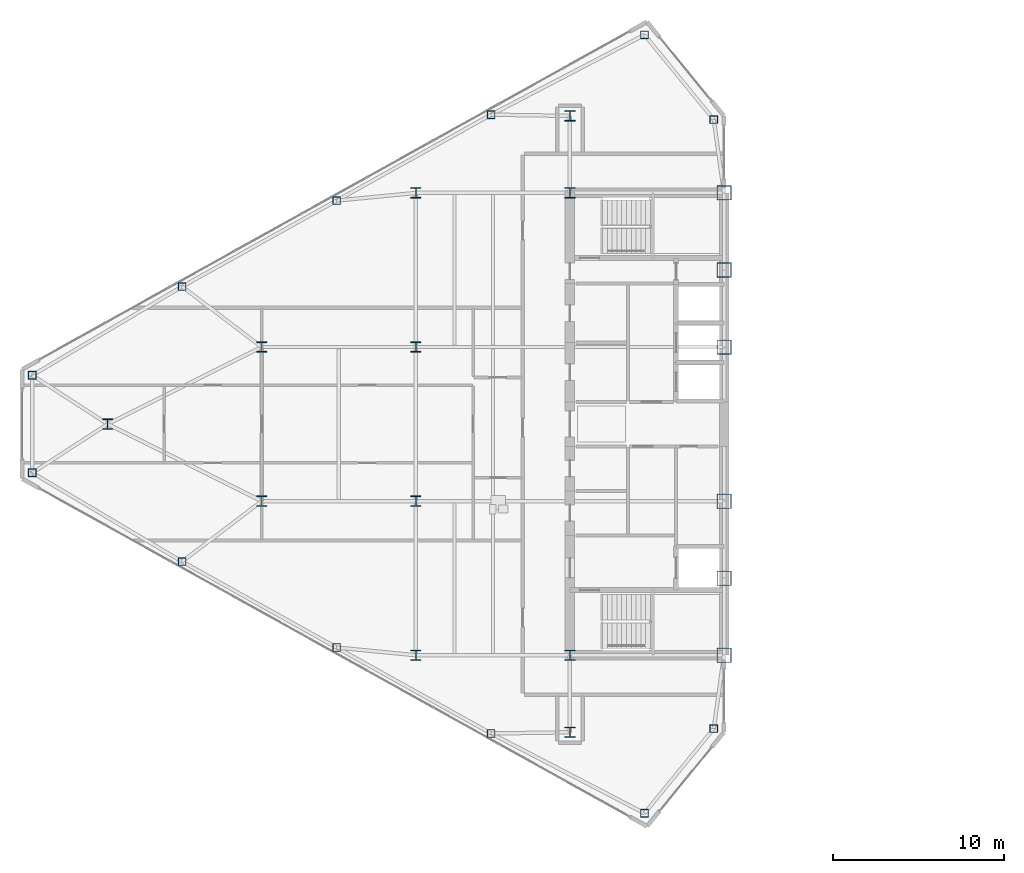
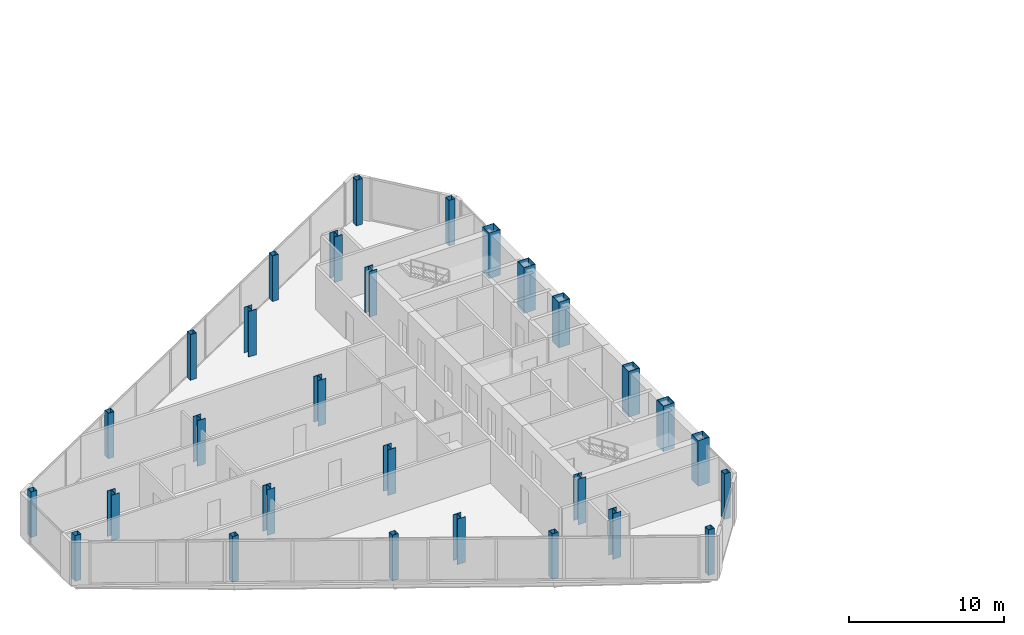
# One storey, part 1 of 26: 29 columns.
"""IFC4 building model written with IfcOpenShell, lengths in metres."""

from ifc_helpers import new_model, si_unit, direction, frame, origin, origin_2d, place, context, subcontext, project, spatial, hollow_rectangle, i_section, extrude, source, transform, mapped, material, material_profile, profile_set, type_object, type_shapes, element, save


model = new_model("IFC4")

# Units and contexts
model_context = context("Model", 3, precision=1e-05, world=origin(), true_north=direction((0.0, 1.0)))
body_context = subcontext(model_context, "Body", "Model", "MODEL_VIEW")
ifc_project = project(units=[si_unit("LENGTHUNIT", "METRE"), si_unit("AREAUNIT", "SQUARE_METRE"), si_unit("VOLUMEUNIT", "CUBIC_METRE"), si_unit("PLANEANGLEUNIT", "RADIAN"), si_unit("MASSUNIT", "GRAM", prefix="KILO")], contexts=[model_context])

# Site, building, storey
site_placement = place(None, origin())
site = spatial("IfcSite", under=ifc_project, at=site_placement, CompositionType="ELEMENT")
building_placement = place(site_placement, origin())
building = spatial("IfcBuilding", under=site, at=building_placement, Name="Seokmaru Belvedere", CompositionType="ELEMENT")
storey_placement = place(building_placement, frame((0.0, 0.0, 192.300048828125)))
storey = spatial("IfcBuildingStorey", under=building, at=storey_placement, Name="L51", CompositionType="ELEMENT", Elevation=192.300048828125)

# Columns
ifc_material_1 = material(Name="Steel SM355 (355 MPa)", Category="steel")
ifc_material_profile_1 = material_profile(ifc_material_1, hollow_rectangle(XDim=0.449951171875, YDim=0.449951171875, WallThickness=0.01806640625, at=origin_2d()), Name="HSS-450x450x18")
ifc_profile_set_1 = profile_set([ifc_material_profile_1], Name="Steel SM355 (355 MPa)")
column_type_1 = type_object("IfcColumnType", Name="Perimeter Facet Column HSS-450", PredefinedType="COLUMN", material=ifc_profile_set_1)
shared_shape_1 = source(origin(), body_context, "Body", "SweptSolid", [
    extrude(hollow_rectangle(XDim=0.449951171875, YDim=0.449951171875, WallThickness=0.01806640625, at=origin_2d()), origin(), (0.0, 0.0, 1.0), 3.599853515625),
])
type_shapes(column_type_1, [shared_shape_1])
for number, where, z_axis, x_axis, name in (
    (1, (-28.10009765625, -17.785888671875, 0.0), (0.0, 0.0, 1.0), (1.0, 0.0, 0.0), "L51 Column WF1"),
    (2, (-28.10009765625, 17.785888671875, 0.0), (0.0, 0.0, 1.0), (1.0, 0.0, 0.0), "L51 Column WF2"),
    (3, (-32.146728515625, 22.731689453125, 0.0), (0.0, 0.0, 1.0), (1.0, 0.0, 0.0), "L51 Column WF3"),
    (4, (-67.89990234375, 2.84716796875, 0.0), (0.0, 0.0, 1.0), (1.0, 0.0, 0.0), "L51 Column WF4"),
    (5, (-67.89990234375, -2.84716796875, 0.0), (0.0, 0.0, 1.0), (1.0, 0.0, 0.0), "L51 Column WF5"),
    (6, (-32.146728515625, -22.731689453125, 0.0), (0.0, 0.0, 1.0), (1.0, 0.0, 0.0), "L51 Column WF6"),
    (7, (-41.103759765625, -18.07080078125, 0.0), (0.0, 0.0, 1.0), (1.0, 0.0, 0.0), "L51 Column WFLK_S1"),
    (8, (-50.129150390625, -13.051025390625, 0.0), (0.0, 0.0, 1.0), (1.0, 0.0, 0.0), "L51 Column WFLK_S2"),
    (9, (-59.154541015625, -8.031494140625, 0.0), (0.0, 0.0, 1.0), (1.0, 0.0, 0.0), "L51 Column WFLK_S3"),
    (10, (-41.103759765625, 18.07080078125, 0.0), (0.0, 0.0, 1.0), (1.0, 0.0, 0.0), "L51 Column WFLK_N1"),
    (11, (-50.129150390625, 13.051025390625, 0.0), (0.0, 0.0, 1.0), (1.0, 0.0, 0.0), "L51 Column WFLK_N2"),
    (12, (-59.154541015625, 8.031494140625, 0.0), (0.0, 0.0, 1.0), (1.0, 0.0, 0.0), "L51 Column WFLK_N3"),
):
    element("IfcColumn", number, at=place(storey_placement, frame(where, z_axis=z_axis, x_axis=x_axis)), inside=storey, type_object=column_type_1, Name=name, PredefinedType="COLUMN", context=body_context, shape_type="MappedRepresentation", body=[
        mapped(shared_shape_1, transform((0.0, 0.0, 0.0), scale=1.0)),
    ])
ifc_material_2 = material(Name="Steel HSA650 (650 MPa)", Category="steel")
ifc_material_profile_2 = material_profile(ifc_material_2, hollow_rectangle(XDim=0.85009765625, YDim=0.85009765625, WallThickness=0.035888671875, at=origin_2d()), Name="BOX-850x850x36")
ifc_profile_set_2 = profile_set([ifc_material_profile_2], Name="Steel HSA650 (650 MPa)")
column_type_2 = type_object("IfcColumnType", Name="Portal Spine Column BOX-850", PredefinedType="COLUMN", material=ifc_profile_set_2)
shared_shape_2 = source(origin(), body_context, "Body", "SweptSolid", [
    extrude(hollow_rectangle(XDim=0.85009765625, YDim=0.85009765625, WallThickness=0.035888671875, at=origin_2d()), origin(), (0.0, 0.0, 1.0), 3.599853515625),
])
type_shapes(column_type_2, [shared_shape_2])
for number, where, z_axis, x_axis, name in (
    (13, (-27.5, -13.5, 0.0), (0.0, 0.0, 1.0), (1.0, 0.0, 0.0), "L51 Column WS1"),
    (14, (-27.5, -9.0, 0.0), (0.0, 0.0, 1.0), (1.0, 0.0, 0.0), "L51 Column WS2"),
    (15, (-27.5, -4.5, 0.0), (0.0, 0.0, 1.0), (1.0, 0.0, 0.0), "L51 Column WS3"),
    (16, (-27.5, 4.5, 0.0), (0.0, 0.0, 1.0), (1.0, 0.0, 0.0), "L51 Column WS4"),
    (17, (-27.5, 9.0, 0.0), (0.0, 0.0, 1.0), (1.0, 0.0, 0.0), "L51 Column WS5"),
    (18, (-27.5, 13.5, 0.0), (0.0, 0.0, 1.0), (1.0, 0.0, 0.0), "L51 Column WS6"),
):
    element("IfcColumn", number, at=place(storey_placement, frame(where, z_axis=z_axis, x_axis=x_axis)), inside=storey, type_object=column_type_2, Name=name, PredefinedType="COLUMN", context=body_context, shape_type="MappedRepresentation", body=[
        mapped(shared_shape_2, transform((0.0, 0.0, 0.0), scale=1.0)),
    ])
ifc_material_profile_3 = material_profile(ifc_material_1, i_section(OverallWidth=0.60009765625, OverallDepth=0.60009765625, WebThickness=0.02490234375, FlangeThickness=0.0400390625, at=origin_2d()), Name="H-600x600x25x40")
ifc_profile_set_3 = profile_set([ifc_material_profile_3], Name="Steel SM355 (355 MPa)")
column_type_3 = type_object("IfcColumnType", Name="Upper-Mid Interior Column H-600", PredefinedType="COLUMN", material=ifc_profile_set_3)
shared_shape_3 = source(origin(), body_context, "Body", "SweptSolid", [
    extrude(i_section(OverallWidth=0.60009765625, OverallDepth=0.60009765625, WebThickness=0.02490234375, FlangeThickness=0.0400390625, at=origin_2d()), origin(), (0.0, 0.0, 1.0), 3.599853515625),
])
type_shapes(column_type_3, [shared_shape_3])
for number, where, z_axis, x_axis, name in (
    (19, (-36.5, -18.0, 0.0), (0.0, 0.0, 1.0), (1.0, 0.0, 0.0), "L51 Column WC1"),
    (20, (-36.5, -13.5, 0.0), (0.0, 0.0, 1.0), (1.0, 0.0, 0.0), "L51 Column WC2"),
    (21, (-36.5, 13.5, 0.0), (0.0, 0.0, 1.0), (1.0, 0.0, 0.0), "L51 Column WC3"),
    (22, (-36.5, 18.0, 0.0), (0.0, 0.0, 1.0), (1.0, 0.0, 0.0), "L51 Column WC4"),
    (23, (-45.5, -13.5, 0.0), (0.0, 0.0, 1.0), (1.0, 0.0, 0.0), "L51 Column WG5_1"),
    (24, (-45.5, -4.5, 0.0), (0.0, 0.0, 1.0), (1.0, 0.0, 0.0), "L51 Column WG5_2"),
    (25, (-45.5, 4.5, 0.0), (0.0, 0.0, 1.0), (1.0, 0.0, 0.0), "L51 Column WG5_3"),
    (26, (-45.5, 13.5, 0.0), (0.0, 0.0, 1.0), (1.0, 0.0, 0.0), "L51 Column WG5_4"),
    (27, (-54.5, -4.5, 0.0), (0.0, 0.0, 1.0), (1.0, 0.0, 0.0), "L51 Column WG4P_1"),
    (28, (-54.5, 4.5, 0.0), (0.0, 0.0, 1.0), (1.0, 0.0, 0.0), "L51 Column WG4P_2"),
    (29, (-63.5, 0.0, 0.0), (0.0, 0.0, 1.0), (1.0, 0.0, 0.0), "L51 Column WG3P_1"),
):
    element("IfcColumn", number, at=place(storey_placement, frame(where, z_axis=z_axis, x_axis=x_axis)), inside=storey, type_object=column_type_3, Name=name, PredefinedType="COLUMN", context=body_context, shape_type="MappedRepresentation", body=[
        mapped(shared_shape_3, transform((0.0, 0.0, 0.0), scale=1.0)),
    ])

save(model, "model.ifc")
